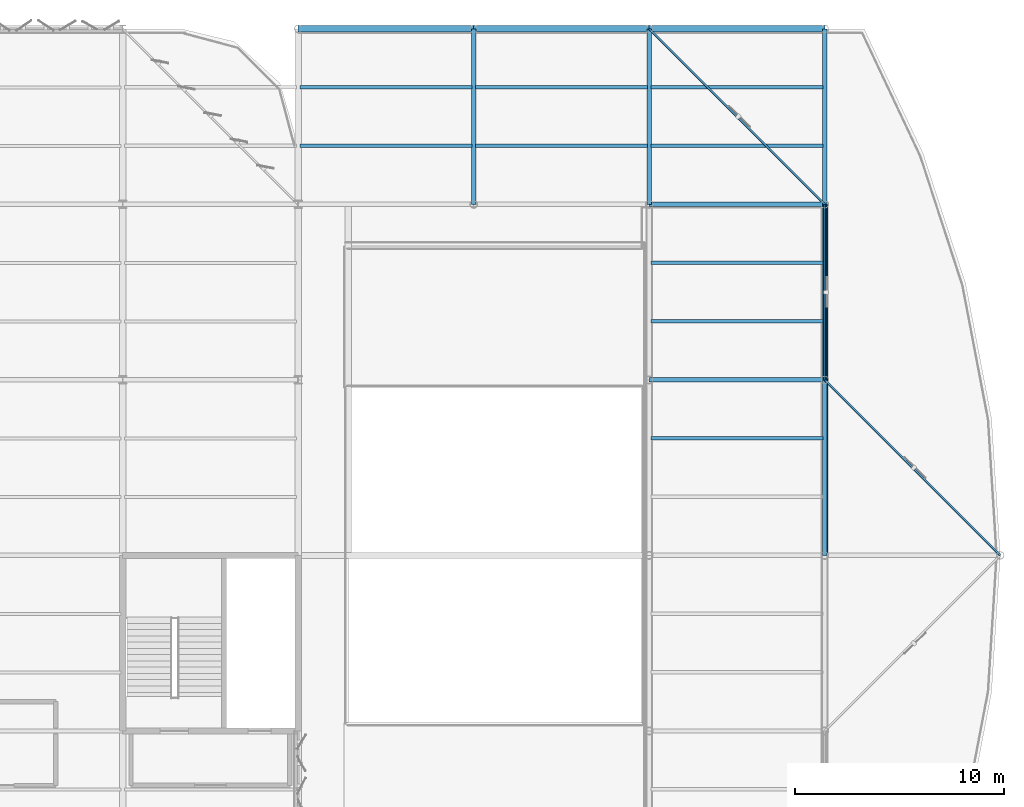
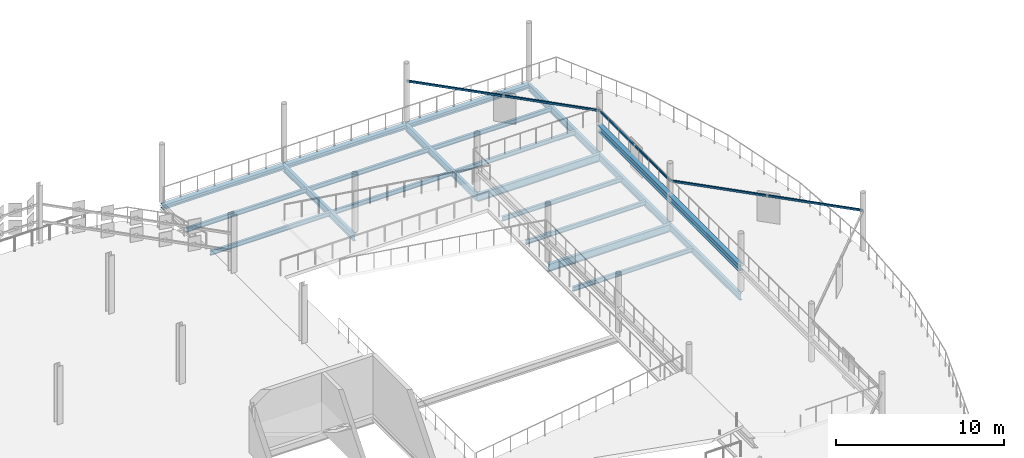
# One storey, part 133 of 184: 24 beams.
"""IFC4 building model written with IfcOpenShell, lengths in metres."""

from ifc_helpers import new_model, si_unit, direction, frame, origin, origin_2d, place, context, subcontext, project, spatial, hollow_rectangle, i_section, extrude, material, material_profile, profile_set, type_object, element, save


model = new_model("IFC4")

# Units and contexts
model_context = context("Model", 3, precision=1e-05, world=origin(), true_north=direction((0.0, 1.0)))
body_context = subcontext(model_context, "Body", "Model", "MODEL_VIEW")
ifc_project = project(units=[si_unit("LENGTHUNIT", "METRE"), si_unit("AREAUNIT", "SQUARE_METRE"), si_unit("VOLUMEUNIT", "CUBIC_METRE"), si_unit("PLANEANGLEUNIT", "RADIAN"), si_unit("MASSUNIT", "GRAM", prefix="KILO")], contexts=[model_context])

# Site, building, storey
site_placement = place(None, origin())
site = spatial("IfcSite", under=ifc_project, at=site_placement, CompositionType="ELEMENT")
building_placement = place(site_placement, origin())
building = spatial("IfcBuilding", under=site, at=building_placement, Name="Qalvenar Corner Mobility Hub", CompositionType="ELEMENT")
storey_placement = place(building_placement, frame((0.0, 0.0, 9.0)))
storey = spatial("IfcBuildingStorey", under=building, at=storey_placement, Name="L02", CompositionType="ELEMENT", Elevation=9.0)

# Beams
ifc_material = material(Name="Steel S355", Category="steel")
ifc_material_profile_1 = material_profile(ifc_material, i_section(OverallWidth=0.300048828125, OverallDepth=0.489990234375, WebThickness=0.011962890625, FlangeThickness=0.02294921875, FilletRadius=0.027099609375, at=origin_2d()), Name="HEA500")
ifc_profile_set_1 = profile_set([ifc_material_profile_1], Name="Steel S355")
beam_type_1 = type_object("IfcBeamType", Name="BM-HEA500", PredefinedType="BEAM", material=ifc_profile_set_1)
beam_1_placement = place(storey_placement, frame((168.0, 92.39990234375, 1.635009765625), z_axis=(0.0, 1.0, 0.0), x_axis=(-1.0, 0.0, 0.0)))
element("IfcBeam", 1, at=beam_1_placement, inside=storey, type_object=beam_type_1, Name="Ramp Mid-Landing Girder L02-168-92", PredefinedType="BEAM", context=body_context, shape_type="SweptSolid", body=[
    extrude(i_section(OverallWidth=0.300048828125, OverallDepth=0.489990234375, WebThickness=0.011962890625, FlangeThickness=0.02294921875, FilletRadius=0.027099609375, at=origin_2d()), origin(), (0.0, 0.0, 1.0), 8.400146484375),
])
beam_2_placement = place(storey_placement, frame((168.0, 100.800048828125, 1.635009765625), z_axis=(0.0, 1.0, 0.0), x_axis=(-1.0, 0.0, 0.0)))
element("IfcBeam", 2, at=beam_2_placement, inside=storey, type_object=beam_type_1, Name="Ramp Mid-Landing Girder L02-168-100", PredefinedType="BEAM", context=body_context, shape_type="SweptSolid", body=[
    extrude(i_section(OverallWidth=0.300048828125, OverallDepth=0.489990234375, WebThickness=0.011962890625, FlangeThickness=0.02294921875, FilletRadius=0.027099609375, at=origin_2d()), origin(), (0.0, 0.0, 1.0), 8.39990234375),
])
ifc_material_profile_2 = material_profile(ifc_material, i_section(OverallWidth=0.199951171875, OverallDepth=0.5, WebThickness=0.01025390625, FlangeThickness=0.01611328125, FilletRadius=0.02099609375, at=origin_2d()), Name="IPE500")
ifc_profile_set_2 = profile_set([ifc_material_profile_2], Name="Steel S355")
beam_type_2 = type_object("IfcBeamType", Name="BM-IPE500", PredefinedType="BEAM", material=ifc_profile_set_2)
for number, where, z_axis, x_axis, name in (
    (3, (151.199951171875, 109.199951171875, -0.489990234375), (0.0, 1.0, 0.0), (-1.0, 0.0, 0.0), "Primary Steel Girder GY-2131"),
    (4, (159.60009765625, 109.199951171875, -0.489990234375), (0.0, 1.0, 0.0), (-1.0, 0.0, 0.0), "Primary Steel Girder GY-2137"),
    (5, (168.0, 92.39990234375, -0.489990234375), (0.0, 1.0, 0.0), (-1.0, 0.0, 0.0), "Primary Steel Girder GY-2141"),
):
    element("IfcBeam", number, at=place(storey_placement, frame(where, z_axis=z_axis, x_axis=x_axis)), inside=storey, type_object=beam_type_2, Name=name, PredefinedType="BEAM", context=body_context, shape_type="SweptSolid", body=[
        extrude(i_section(OverallWidth=0.199951171875, OverallDepth=0.5, WebThickness=0.01025390625, FlangeThickness=0.01611328125, FilletRadius=0.02099609375, at=origin_2d()), origin(), (0.0, 0.0, 1.0), 8.400146484375),
    ])
beam_3_placement = place(storey_placement, frame((168.0, 100.800048828125, -0.489990234375), z_axis=(0.0, 1.0, 0.0), x_axis=(-1.0, 0.0, 0.0)))
element("IfcBeam", 6, at=beam_3_placement, inside=storey, type_object=beam_type_2, Name="Primary Steel Girder GY-2142", PredefinedType="BEAM", context=body_context, shape_type="SweptSolid", body=[
    extrude(i_section(OverallWidth=0.199951171875, OverallDepth=0.5, WebThickness=0.01025390625, FlangeThickness=0.01611328125, FilletRadius=0.02099609375, at=origin_2d()), origin(), (0.0, 0.0, 1.0), 8.39990234375),
])
beam_4_placement = place(storey_placement, frame((168.0, 109.199951171875, -0.489990234375), z_axis=(0.0, 1.0, 0.0), x_axis=(-1.0, 0.0, 0.0)))
element("IfcBeam", 7, at=beam_4_placement, inside=storey, type_object=beam_type_2, Name="Primary Steel Girder GY-2143", PredefinedType="BEAM", context=body_context, shape_type="SweptSolid", body=[
    extrude(i_section(OverallWidth=0.199951171875, OverallDepth=0.5, WebThickness=0.01025390625, FlangeThickness=0.01611328125, FilletRadius=0.02099609375, at=origin_2d()), origin(), (0.0, 0.0, 1.0), 8.400146484375),
])
ifc_material_profile_3 = material_profile(ifc_material, i_section(OverallWidth=0.2099609375, OverallDepth=0.550048828125, WebThickness=0.010986328125, FlangeThickness=0.01708984375, FilletRadius=0.02392578125, at=origin_2d()), Name="IPE550")
ifc_profile_set_3 = profile_set([ifc_material_profile_3], Name="Steel S355")
beam_type_3 = type_object("IfcBeamType", Name="BM-IPE550", PredefinedType="BEAM", material=ifc_profile_set_3)
for number, where, z_axis, x_axis, name in (
    (8, (159.60009765625, 100.800048828125, -0.514892578125), (1.0, 0.0, 0.0), (0.0, 1.0, 0.0), "Primary Steel Girder GX-2121"),
    (9, (159.60009765625, 109.199951171875, -0.514892578125), (1.0, 0.0, 0.0), (0.0, 1.0, 0.0), "Primary Steel Girder GX-2124"),
):
    element("IfcBeam", number, at=place(storey_placement, frame(where, z_axis=z_axis, x_axis=x_axis)), inside=storey, type_object=beam_type_3, Name=name, PredefinedType="BEAM", context=body_context, shape_type="SweptSolid", body=[
        extrude(i_section(OverallWidth=0.2099609375, OverallDepth=0.550048828125, WebThickness=0.010986328125, FlangeThickness=0.01708984375, FilletRadius=0.02392578125, at=origin_2d()), origin(), (0.0, 0.0, 1.0), 8.39990234375),
    ])
ifc_material_profile_4 = material_profile(ifc_material, i_section(OverallWidth=0.1650390625, OverallDepth=0.31005859375, WebThickness=0.005859375, FlangeThickness=0.009765625, FilletRadius=0.011962890625, at=origin_2d()), Name="W310x38.7")
ifc_profile_set_4 = profile_set([ifc_material_profile_4], Name="Steel S355")
beam_type_4 = type_object("IfcBeamType", Name="BM-JST310", PredefinedType="JOIST", material=ifc_profile_set_4)
for number, where, z_axis, x_axis, name in (
    (10, (142.8779296875, 112.0, -0.39501953125), (1.0, 0.0, 0.0), (0.0, 1.0, 0.0), "Composite Floor Joist J-2150"),
    (11, (142.8779296875, 114.800048828125, -0.39501953125), (1.0, 0.0, 0.0), (0.0, 1.0, 0.0), "Composite Floor Joist J-2151"),
):
    element("IfcBeam", number, at=place(storey_placement, frame(where, z_axis=z_axis, x_axis=x_axis)), inside=storey, type_object=beam_type_4, Name=name, PredefinedType="JOIST", context=body_context, shape_type="SweptSolid", body=[
        extrude(i_section(OverallWidth=0.1650390625, OverallDepth=0.31005859375, WebThickness=0.005859375, FlangeThickness=0.009765625, FilletRadius=0.011962890625, at=origin_2d()), origin(), (0.0, 0.0, 1.0), 8.244140625),
    ])
for number, where, z_axis, x_axis, name in (
    (12, (151.278076171875, 112.0, -0.39501953125), (1.0, 0.0, 0.0), (0.0, 1.0, 0.0), "Composite Floor Joist J-2154"),
    (13, (151.278076171875, 114.800048828125, -0.39501953125), (1.0, 0.0, 0.0), (0.0, 1.0, 0.0), "Composite Floor Joist J-2155"),
):
    element("IfcBeam", number, at=place(storey_placement, frame(where, z_axis=z_axis, x_axis=x_axis)), inside=storey, type_object=beam_type_4, Name=name, PredefinedType="JOIST", context=body_context, shape_type="SweptSolid", body=[
        extrude(i_section(OverallWidth=0.1650390625, OverallDepth=0.31005859375, WebThickness=0.005859375, FlangeThickness=0.009765625, FilletRadius=0.011962890625, at=origin_2d()), origin(), (0.0, 0.0, 1.0), 8.243896484375),
    ])
for number, where, z_axis, x_axis, name in (
    (14, (159.677978515625, 98.0, -0.39501953125), (1.0, 0.0, 0.0), (0.0, 1.0, 0.0), "Composite Floor Joist J-2163"),
    (15, (159.677978515625, 103.60009765625, -0.39501953125), (1.0, 0.0, 0.0), (0.0, 1.0, 0.0), "Composite Floor Joist J-2164"),
    (16, (159.677978515625, 106.39990234375, -0.39501953125), (1.0, 0.0, 0.0), (0.0, 1.0, 0.0), "Composite Floor Joist J-2165"),
    (17, (159.677978515625, 112.0, -0.39501953125), (1.0, 0.0, 0.0), (0.0, 1.0, 0.0), "Composite Floor Joist J-2166"),
    (18, (159.677978515625, 114.800048828125, -0.39501953125), (1.0, 0.0, 0.0), (0.0, 1.0, 0.0), "Composite Floor Joist J-2167"),
):
    element("IfcBeam", number, at=place(storey_placement, frame(where, z_axis=z_axis, x_axis=x_axis)), inside=storey, type_object=beam_type_4, Name=name, PredefinedType="JOIST", context=body_context, shape_type="SweptSolid", body=[
        extrude(i_section(OverallWidth=0.1650390625, OverallDepth=0.31005859375, WebThickness=0.005859375, FlangeThickness=0.009765625, FilletRadius=0.011962890625, at=origin_2d()), origin(), (0.0, 0.0, 1.0), 8.244140625),
    ])
ifc_material_profile_5 = material_profile(ifc_material, i_section(OverallWidth=0.300048828125, OverallDepth=0.31005859375, WebThickness=0.009033203125, FlangeThickness=0.015380859375, FilletRadius=0.027099609375, at=origin_2d()), Name="HEA320")
ifc_profile_set_5 = profile_set([ifc_material_profile_5], Name="Steel S355")
beam_type_5 = type_object("IfcBeamType", Name="BM-SPN320", PredefinedType="SPANDREL", material=ifc_profile_set_5)
beam_5_placement = place(storey_placement, frame((142.800048828125, 117.60009765625, -0.39501953125), z_axis=(1.0, 0.0, 0.0), x_axis=(0.0, 1.0, 0.0)))
element("IfcBeam", 19, at=beam_5_placement, inside=storey, type_object=beam_type_5, Name="Primary Steel Girder GX-2125", PredefinedType="SPANDREL", context=body_context, shape_type="SweptSolid", body=[
    extrude(i_section(OverallWidth=0.300048828125, OverallDepth=0.31005859375, WebThickness=0.009033203125, FlangeThickness=0.015380859375, FilletRadius=0.027099609375, at=origin_2d()), origin(), (0.0, 0.0, 1.0), 8.39990234375),
])
beam_6_placement = place(storey_placement, frame((151.199951171875, 117.60009765625, -0.39501953125), z_axis=(1.0, 0.0, 0.0), x_axis=(0.0, 1.0, 0.0)))
element("IfcBeam", 20, at=beam_6_placement, inside=storey, type_object=beam_type_5, Name="Primary Steel Girder GX-2126", PredefinedType="SPANDREL", context=body_context, shape_type="SweptSolid", body=[
    extrude(i_section(OverallWidth=0.300048828125, OverallDepth=0.31005859375, WebThickness=0.009033203125, FlangeThickness=0.015380859375, FilletRadius=0.027099609375, at=origin_2d()), origin(), (0.0, 0.0, 1.0), 8.400146484375),
])
beam_7_placement = place(storey_placement, frame((159.60009765625, 117.60009765625, -0.39501953125), z_axis=(1.0, 0.0, 0.0), x_axis=(0.0, 1.0, 0.0)))
element("IfcBeam", 21, at=beam_7_placement, inside=storey, type_object=beam_type_5, Name="Primary Steel Girder GX-2127", PredefinedType="SPANDREL", context=body_context, shape_type="SweptSolid", body=[
    extrude(i_section(OverallWidth=0.300048828125, OverallDepth=0.31005859375, WebThickness=0.009033203125, FlangeThickness=0.015380859375, FilletRadius=0.027099609375, at=origin_2d()), origin(), (0.0, 0.0, 1.0), 8.39990234375),
])
ifc_material_profile_6 = material_profile(ifc_material, hollow_rectangle(XDim=0.10009765625, YDim=0.14990234375, WallThickness=0.00634765625, InnerFilletRadius=0.00634765625, OuterFilletRadius=0.0126953125, at=origin_2d()), Name="RHS150x100x6.3")
ifc_profile_set_6 = profile_set([ifc_material_profile_6], Name="Steel S355")
beam_type_6 = type_object("IfcBeamType", Name="FR-RAIL150", PredefinedType="SPANDREL", material=ifc_profile_set_6)
beam_8_placement = place(storey_placement, frame((176.39990234375, 92.39990234375, 2.85009765625), z_axis=(-0.707096505339, 0.707117056885, 0.0), x_axis=(-0.707117056885, -0.707096505339, 0.0)))
element("IfcBeam", 22, at=beam_8_placement, inside=storey, type_object=beam_type_6, Name="Rotunda Screen Rail V2-L02-4", PredefinedType="SPANDREL", context=body_context, shape_type="SweptSolid", body=[
    extrude(hollow_rectangle(XDim=0.10009765625, YDim=0.14990234375, WallThickness=0.00634765625, InnerFilletRadius=0.00634765625, OuterFilletRadius=0.0126953125, at=origin_2d()), origin(), (0.0, 0.0, 1.0), 11.87939453125),
])
beam_9_placement = place(storey_placement, frame((168.0, 100.800048828125, 2.85009765625), z_axis=(0.0, 1.0, 0.0), x_axis=(-1.0, 0.0, 0.0)))
element("IfcBeam", 23, at=beam_9_placement, inside=storey, type_object=beam_type_6, Name="Rotunda Screen Rail V2-L02-5", PredefinedType="SPANDREL", context=body_context, shape_type="SweptSolid", body=[
    extrude(hollow_rectangle(XDim=0.10009765625, YDim=0.14990234375, WallThickness=0.00634765625, InnerFilletRadius=0.00634765625, OuterFilletRadius=0.0126953125, at=origin_2d()), origin(), (0.0, 0.0, 1.0), 8.39990234375),
])
beam_10_placement = place(storey_placement, frame((168.0, 109.199951171875, 2.85009765625), z_axis=(-0.707096505339, 0.707117056885, 0.0), x_axis=(-0.707117056885, -0.707096505339, 0.0)))
element("IfcBeam", 24, at=beam_10_placement, inside=storey, type_object=beam_type_6, Name="Rotunda Screen Rail V2-L02-6", PredefinedType="SPANDREL", context=body_context, shape_type="SweptSolid", body=[
    extrude(hollow_rectangle(XDim=0.10009765625, YDim=0.14990234375, WallThickness=0.00634765625, InnerFilletRadius=0.00634765625, OuterFilletRadius=0.0126953125, at=origin_2d()), origin(), (0.0, 0.0, 1.0), 11.87939453125),
])

save(model, "model.ifc")
